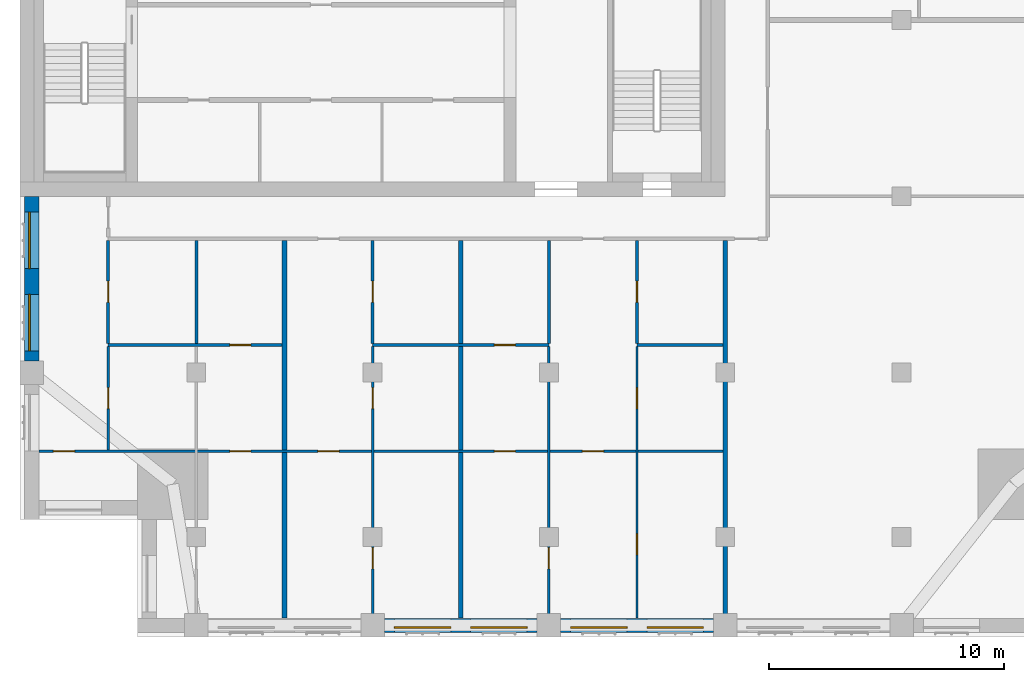
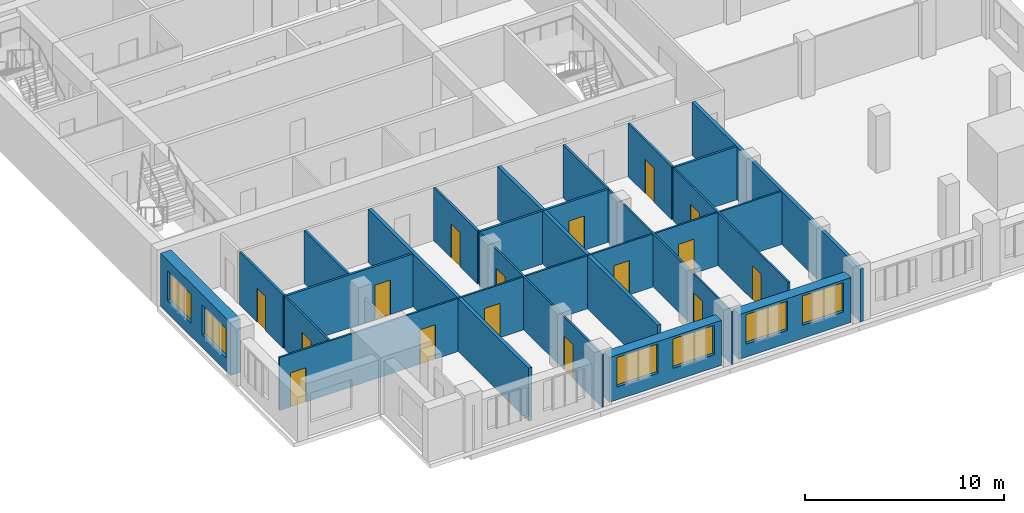
# One storey, part 3 of 10: 19 walls, 16 doors, 6 windows, 22 openings.
"""IFC4 building model written with IfcOpenShell, lengths in metres."""

from ifc_helpers import new_model, si_unit, direction, frame, frame_2d, origin, place, context, subcontext, project, spatial, rectangle, extrude, material, layer, layer_set, type_object, element, fill, save


model = new_model("IFC4")

# Units and contexts
model_context = context("Model", 3, precision=1e-05, world=origin(), true_north=direction((0.0, 1.0)))
body_context = subcontext(model_context, "Body", "Model", "MODEL_VIEW")
ifc_project = project(units=[si_unit("LENGTHUNIT", "METRE"), si_unit("AREAUNIT", "SQUARE_METRE"), si_unit("VOLUMEUNIT", "CUBIC_METRE"), si_unit("PLANEANGLEUNIT", "RADIAN"), si_unit("MASSUNIT", "GRAM", prefix="KILO")], contexts=[model_context])

# Site, building, storey
site_placement = place(None, origin())
site = spatial("IfcSite", under=ifc_project, at=site_placement, CompositionType="ELEMENT")
building_placement = place(site_placement, origin())
building = spatial("IfcBuilding", under=site, at=building_placement, Name="Tamorin Gate", CompositionType="ELEMENT")
storey_placement = place(building_placement, frame((0.0, 0.0, 237.199951171875)))
storey = spatial("IfcBuildingStorey", under=building, at=storey_placement, Name="L59", CompositionType="ELEMENT", Elevation=237.199951171875)

# Wall, openings, windows
ifc_material_1 = material(Name="Precast concrete C40/50", Category="concrete")
ifc_layer_1 = layer(ifc_material_1, 0.60009765625)
ifc_layer_set_1 = layer_set([ifc_layer_1], Name="Precast concrete C40/50")
wall_type_1 = type_object("IfcWallType", Name="Board-marked concrete facade panel 600", PredefinedType="SOLIDWALL", material=ifc_layer_set_1)
wall_1_placement = place(storey_placement, frame((45.5, 41.75, 0.0), z_axis=(0.0, 0.0, 1.0), x_axis=(1.0, 0.0, 0.0)))
wall_1 = element("IfcWall", 1, at=wall_1_placement, inside=storey, type_object=wall_type_1, Name="Facade panel", PredefinedType="SOLIDWALL", context=body_context, shape_type="SweptSolid", body=[
    extrude(rectangle(XDim=6.5, YDim=0.60009765625, at=frame_2d((3.25, 0.0))), origin(), (0.0, 0.0, 1.0), 2.75),
])
opening_1_placement = place(wall_1_placement, frame((0.425048828125, 0.0, 0.800048828125)))
opening_1 = element("IfcOpeningElement", 2, at=opening_1_placement, cuts=wall_1, Name="Opening WN1", PredefinedType="OPENING", context=body_context, shape_type="SweptSolid", body=[
    extrude(rectangle(XDim=2.39990234375, YDim=1.800048828125, at=frame_2d((1.199951171875, 0.89990234375))), frame((0.0, 0.31005859375, 0.0), z_axis=(0.0, -1.0, 0.0), x_axis=(1.0, 0.0, 0.0)), (0.0, 0.0, 1.0), 0.6201171875),
])
opening_2_placement = place(wall_1_placement, frame((3.675048828125, 0.0, 0.800048828125)))
opening_2 = element("IfcOpeningElement", 3, at=opening_2_placement, cuts=wall_1, Name="Opening WN1", PredefinedType="OPENING", context=body_context, shape_type="SweptSolid", body=[
    extrude(rectangle(XDim=2.39990234375, YDim=1.800048828125, at=frame_2d((1.199951171875, 0.89990234375))), frame((0.0, 0.31005859375, 0.0), z_axis=(0.0, -1.0, 0.0), x_axis=(1.0, 0.0, 0.0)), (0.0, 0.0, 1.0), 0.6201171875),
])
ifc_material_2 = material(Name="Clear glass in aluminium frame", Category="aluminium")
window_type = type_object("IfcWindowType", Name="Deep-set window 2400x1800", PartitioningType="SINGLE_PANEL", PredefinedType="WINDOW", material=ifc_material_2)
window_1_placement = place(opening_1_placement, origin())
window_1 = element("IfcWindow", 4, at=window_1_placement, inside=storey, type_object=window_type, Name="Deep-set window", OverallHeight=1.800048828125, OverallWidth=2.39990234375, PartitioningType="SINGLE_PANEL", PredefinedType="WINDOW", context=body_context, shape_type="SweptSolid", body=[
    extrude(rectangle(XDim=2.39990234375, YDim=1.800048828125, at=frame_2d((1.199951171875, 0.89990234375))), frame((0.0, -0.070068359375, 0.0), z_axis=(0.0, -1.0, 0.0), x_axis=(1.0, 0.0, 0.0)), (0.0, 0.0, 1.0), 0.06005859375),
])
fill(opening_1, window_1)
window_2_placement = place(opening_2_placement, origin())
window_2 = element("IfcWindow", 5, at=window_2_placement, inside=storey, type_object=window_type, Name="Deep-set window", OverallHeight=1.800048828125, OverallWidth=2.39990234375, PartitioningType="SINGLE_PANEL", PredefinedType="WINDOW", context=body_context, shape_type="SweptSolid", body=[
    extrude(rectangle(XDim=2.39990234375, YDim=1.800048828125, at=frame_2d((1.199951171875, 0.89990234375))), frame((0.0, -0.070068359375, 0.0), z_axis=(0.0, -1.0, 0.0), x_axis=(1.0, 0.0, 0.0)), (0.0, 0.0, 1.0), 0.06005859375),
])
fill(opening_2, window_2)

wall_2_placement = place(storey_placement, frame((53.0, 41.75, 0.0), z_axis=(0.0, 0.0, 1.0), x_axis=(1.0, 0.0, 0.0)))
wall_2 = element("IfcWall", 6, at=wall_2_placement, inside=storey, type_object=wall_type_1, Name="Facade panel", PredefinedType="SOLIDWALL", context=body_context, shape_type="SweptSolid", body=[
    extrude(rectangle(XDim=6.5, YDim=0.60009765625, at=frame_2d((3.25, 0.0))), origin(), (0.0, 0.0, 1.0), 2.75),
])
opening_3_placement = place(wall_2_placement, frame((0.425048828125, 0.0, 0.800048828125)))
opening_3 = element("IfcOpeningElement", 7, at=opening_3_placement, cuts=wall_2, Name="Opening WN1", PredefinedType="OPENING", context=body_context, shape_type="SweptSolid", body=[
    extrude(rectangle(XDim=2.39990234375, YDim=1.800048828125, at=frame_2d((1.199951171875, 0.89990234375))), frame((0.0, 0.31005859375, 0.0), z_axis=(0.0, -1.0, 0.0), x_axis=(1.0, 0.0, 0.0)), (0.0, 0.0, 1.0), 0.6201171875),
])
opening_4_placement = place(wall_2_placement, frame((3.675048828125, 0.0, 0.800048828125)))
opening_4 = element("IfcOpeningElement", 8, at=opening_4_placement, cuts=wall_2, Name="Opening WN1", PredefinedType="OPENING", context=body_context, shape_type="SweptSolid", body=[
    extrude(rectangle(XDim=2.39990234375, YDim=1.800048828125, at=frame_2d((1.199951171875, 0.89990234375))), frame((0.0, 0.31005859375, 0.0), z_axis=(0.0, -1.0, 0.0), x_axis=(1.0, 0.0, 0.0)), (0.0, 0.0, 1.0), 0.6201171875),
])
window_3_placement = place(opening_3_placement, origin())
window_3 = element("IfcWindow", 9, at=window_3_placement, inside=storey, type_object=window_type, Name="Deep-set window", OverallHeight=1.800048828125, OverallWidth=2.39990234375, PartitioningType="SINGLE_PANEL", PredefinedType="WINDOW", context=body_context, shape_type="SweptSolid", body=[
    extrude(rectangle(XDim=2.39990234375, YDim=1.800048828125, at=frame_2d((1.199951171875, 0.89990234375))), frame((0.0, -0.070068359375, 0.0), z_axis=(0.0, -1.0, 0.0), x_axis=(1.0, 0.0, 0.0)), (0.0, 0.0, 1.0), 0.06005859375),
])
fill(opening_3, window_3)
window_4_placement = place(opening_4_placement, origin())
window_4 = element("IfcWindow", 10, at=window_4_placement, inside=storey, type_object=window_type, Name="Deep-set window", OverallHeight=1.800048828125, OverallWidth=2.39990234375, PartitioningType="SINGLE_PANEL", PredefinedType="WINDOW", context=body_context, shape_type="SweptSolid", body=[
    extrude(rectangle(XDim=2.39990234375, YDim=1.800048828125, at=frame_2d((1.199951171875, 0.89990234375))), frame((0.0, -0.070068359375, 0.0), z_axis=(0.0, -1.0, 0.0), x_axis=(1.0, 0.0, 0.0)), (0.0, 0.0, 1.0), 0.06005859375),
])
fill(opening_4, window_4)

wall_3_placement = place(storey_placement, frame((30.5, 60.0, 0.0), z_axis=(0.0, 0.0, 1.0), x_axis=(0.0, -1.0, 0.0)))
wall_3 = element("IfcWall", 11, at=wall_3_placement, inside=storey, type_object=wall_type_1, Name="Facade panel", PredefinedType="SOLIDWALL", context=body_context, shape_type="SweptSolid", body=[
    extrude(rectangle(XDim=7.0, YDim=0.60009765625, at=frame_2d((3.5, 0.0))), origin(), (0.0, 0.0, 1.0), 3.25),
])
opening_5_placement = place(wall_3_placement, frame((4.175048828125, 0.0, 0.800048828125)))
opening_5 = element("IfcOpeningElement", 12, at=opening_5_placement, cuts=wall_3, Name="Opening WN1", PredefinedType="OPENING", context=body_context, shape_type="SweptSolid", body=[
    extrude(rectangle(XDim=2.39990234375, YDim=1.800048828125, at=frame_2d((1.199951171875, 0.89990234375))), frame((0.0, 0.31005859375, 0.0), z_axis=(0.0, -1.0, 0.0), x_axis=(1.0, 0.0, 0.0)), (0.0, 0.0, 1.0), 0.6201171875),
])
opening_6_placement = place(wall_3_placement, frame((0.675048828125, 0.0, 0.800048828125)))
opening_6 = element("IfcOpeningElement", 13, at=opening_6_placement, cuts=wall_3, Name="Opening WN1", PredefinedType="OPENING", context=body_context, shape_type="SweptSolid", body=[
    extrude(rectangle(XDim=2.39990234375, YDim=1.800048828125, at=frame_2d((1.199951171875, 0.89990234375))), frame((0.0, 0.31005859375, 0.0), z_axis=(0.0, -1.0, 0.0), x_axis=(1.0, 0.0, 0.0)), (0.0, 0.0, 1.0), 0.6201171875),
])
window_5_placement = place(opening_5_placement, origin())
window_5 = element("IfcWindow", 14, at=window_5_placement, inside=storey, type_object=window_type, Name="Deep-set window", OverallHeight=1.800048828125, OverallWidth=2.39990234375, PartitioningType="SINGLE_PANEL", PredefinedType="WINDOW", context=body_context, shape_type="SweptSolid", body=[
    extrude(rectangle(XDim=2.39990234375, YDim=1.800048828125, at=frame_2d((1.199951171875, 0.89990234375))), frame((0.0, -0.070068359375, 0.0), z_axis=(0.0, -1.0, 0.0), x_axis=(1.0, 0.0, 0.0)), (0.0, 0.0, 1.0), 0.06005859375),
])
fill(opening_5, window_5)
window_6_placement = place(opening_6_placement, origin())
window_6 = element("IfcWindow", 15, at=window_6_placement, inside=storey, type_object=window_type, Name="Deep-set window", OverallHeight=1.800048828125, OverallWidth=2.39990234375, PartitioningType="SINGLE_PANEL", PredefinedType="WINDOW", context=body_context, shape_type="SweptSolid", body=[
    extrude(rectangle(XDim=2.39990234375, YDim=1.800048828125, at=frame_2d((1.199951171875, 0.89990234375))), frame((0.0, -0.070068359375, 0.0), z_axis=(0.0, -1.0, 0.0), x_axis=(1.0, 0.0, 0.0)), (0.0, 0.0, 1.0), 0.06005859375),
])
fill(opening_6, window_6)

# Walls
ifc_material_3 = material(Name="Gypsum board partition")
ifc_layer_2 = layer(ifc_material_3, 0.199951171875)
ifc_layer_set_2 = layer_set([ifc_layer_2], Name="Demising wall 200")
wall_type_2 = type_object("IfcWallType", Name="Demising wall 200", PredefinedType="PARTITIONING", material=ifc_layer_set_2)
for number, where, z_axis, x_axis, name in (
    (16, (41.25, 42.06005859375, 0.0), (0.0, 0.0, 1.0), (0.0, 1.0, 0.0), "Demising wall 200"),
    (17, (48.75, 42.06005859375, 0.0), (0.0, 0.0, 1.0), (0.0, 1.0, 0.0), "Demising wall 200"),
):
    element("IfcWall", number, at=place(storey_placement, frame(where, z_axis=z_axis, x_axis=x_axis)), inside=storey, type_object=wall_type_2, Name=name, PredefinedType="PARTITIONING", context=body_context, shape_type="SweptSolid", body=[
        extrude(rectangle(XDim=16.06494140625, YDim=0.199951171875, at=frame_2d((8.032470703125, 0.0))), origin(), (0.0, 0.0, 1.0), 3.25),
    ])
wall_4_placement = place(storey_placement, frame((60.0, 41.25, 0.0), z_axis=(0.0, 0.0, 1.0), x_axis=(0.0, 1.0, 0.0)))
element("IfcWall", 18, at=wall_4_placement, inside=storey, type_object=wall_type_2, Name="Demising wall 200", PredefinedType="PARTITIONING", context=body_context, shape_type="SweptSolid", body=[
    extrude(rectangle(XDim=16.875, YDim=0.199951171875, at=frame_2d((8.4375, 0.0))), origin(), (0.0, 0.0, 1.0), 3.25),
])

# Wall, openings, doors
ifc_layer_3 = layer(ifc_material_3, 0.10009765625)
ifc_layer_set_3 = layer_set([ifc_layer_3], Name="Room partition 100")
wall_type_3 = type_object("IfcWallType", Name="Room partition 100", PredefinedType="PARTITIONING", material=ifc_layer_set_3)
wall_5_placement = place(storey_placement, frame((30.81005859375, 49.14990234375, 0.0), z_axis=(0.0, 0.0, 1.0), x_axis=(1.0, 0.0, 0.0)))
wall_5 = element("IfcWall", 19, at=wall_5_placement, inside=storey, type_object=wall_type_3, Name="Room partition 100", PredefinedType="PARTITIONING", context=body_context, shape_type="SweptSolid", body=[
    extrude(rectangle(XDim=29.08984375, YDim=0.10009765625, at=frame_2d((14.544921875, 0.0))), origin(), (0.0, 0.0, 1.0), 3.25),
])
opening_7_placement = place(wall_5_placement, frame((0.614990234375, 0.0, 0.0)))
opening_7 = element("IfcOpeningElement", 20, at=opening_7_placement, cuts=wall_5, Name="Opening DR5002", PredefinedType="OPENING", context=body_context, shape_type="SweptSolid", body=[
    extrude(rectangle(XDim=0.89990234375, YDim=2.10009765625, at=frame_2d((0.449951171875, 1.050048828125))), frame((0.0, 0.06005859375, 0.0), z_axis=(0.0, -1.0, 0.0), x_axis=(1.0, 0.0, 0.0)), (0.0, 0.0, 1.0), 0.1201171875),
])
opening_8_placement = place(wall_5_placement, frame((8.114990234375, 0.0, 0.0)))
opening_8 = element("IfcOpeningElement", 21, at=opening_8_placement, cuts=wall_5, Name="Opening DR5005", PredefinedType="OPENING", context=body_context, shape_type="SweptSolid", body=[
    extrude(rectangle(XDim=0.89990234375, YDim=2.10009765625, at=frame_2d((0.449951171875, 1.050048828125))), frame((0.0, 0.06005859375, 0.0), z_axis=(0.0, -1.0, 0.0), x_axis=(1.0, 0.0, 0.0)), (0.0, 0.0, 1.0), 0.1201171875),
])
opening_9_placement = place(wall_5_placement, frame((11.864990234375, 0.0, 0.0)))
opening_9 = element("IfcOpeningElement", 22, at=opening_9_placement, cuts=wall_5, Name="Opening DR5009", PredefinedType="OPENING", context=body_context, shape_type="SweptSolid", body=[
    extrude(rectangle(XDim=0.89990234375, YDim=2.10009765625, at=frame_2d((0.449951171875, 1.050048828125))), frame((0.0, 0.06005859375, 0.0), z_axis=(0.0, -1.0, 0.0), x_axis=(1.0, 0.0, 0.0)), (0.0, 0.0, 1.0), 0.1201171875),
])
opening_10_placement = place(wall_5_placement, frame((19.364990234375, 0.0, 0.0)))
opening_10 = element("IfcOpeningElement", 23, at=opening_10_placement, cuts=wall_5, Name="Opening DR5013", PredefinedType="OPENING", context=body_context, shape_type="SweptSolid", body=[
    extrude(rectangle(XDim=0.89990234375, YDim=2.10009765625, at=frame_2d((0.449951171875, 1.050048828125))), frame((0.0, 0.06005859375, 0.0), z_axis=(0.0, -1.0, 0.0), x_axis=(1.0, 0.0, 0.0)), (0.0, 0.0, 1.0), 0.1201171875),
])
opening_11_placement = place(wall_5_placement, frame((23.114990234375, 0.0, 0.0)))
opening_11 = element("IfcOpeningElement", 24, at=opening_11_placement, cuts=wall_5, Name="Opening DR5016", PredefinedType="OPENING", context=body_context, shape_type="SweptSolid", body=[
    extrude(rectangle(XDim=0.89990234375, YDim=2.10009765625, at=frame_2d((0.449951171875, 1.050048828125))), frame((0.0, 0.06005859375, 0.0), z_axis=(0.0, -1.0, 0.0), x_axis=(1.0, 0.0, 0.0)), (0.0, 0.0, 1.0), 0.1201171875),
])
ifc_material_4 = material(Name="Timber door leaf", Category="wood")
door_type = type_object("IfcDoorType", Name="Door 900 x 2100", OperationType="NOTDEFINED", PredefinedType="DOOR", material=ifc_material_4)
door_1_placement = place(opening_7_placement, origin())
door_1 = element("IfcDoor", 25, at=door_1_placement, inside=storey, type_object=door_type, Name="Door DR5002", OperationType="SINGLE_SWING_LEFT", OverallHeight=2.10009765625, OverallWidth=0.89990234375, PredefinedType="DOOR", context=body_context, shape_type="SweptSolid", body=[
    extrude(rectangle(XDim=0.89990234375, YDim=2.10009765625, at=frame_2d((0.449951171875, 1.050048828125))), frame((0.0, 0.02490234375, 0.0), z_axis=(0.0, -1.0, 0.0), x_axis=(1.0, 0.0, 0.0)), (0.0, 0.0, 1.0), 0.050048828125),
])
fill(opening_7, door_1)
door_2_placement = place(opening_8_placement, origin())
door_2 = element("IfcDoor", 26, at=door_2_placement, inside=storey, type_object=door_type, Name="Door DR5005", OperationType="SINGLE_SWING_LEFT", OverallHeight=2.10009765625, OverallWidth=0.89990234375, PredefinedType="DOOR", context=body_context, shape_type="SweptSolid", body=[
    extrude(rectangle(XDim=0.89990234375, YDim=2.10009765625, at=frame_2d((0.449951171875, 1.050048828125))), frame((0.0, 0.02490234375, 0.0), z_axis=(0.0, -1.0, 0.0), x_axis=(1.0, 0.0, 0.0)), (0.0, 0.0, 1.0), 0.050048828125),
])
fill(opening_8, door_2)
door_3_placement = place(opening_9_placement, origin())
door_3 = element("IfcDoor", 27, at=door_3_placement, inside=storey, type_object=door_type, Name="Door DR5009", OperationType="SINGLE_SWING_LEFT", OverallHeight=2.10009765625, OverallWidth=0.89990234375, PredefinedType="DOOR", context=body_context, shape_type="SweptSolid", body=[
    extrude(rectangle(XDim=0.89990234375, YDim=2.10009765625, at=frame_2d((0.449951171875, 1.050048828125))), frame((0.0, 0.02490234375, 0.0), z_axis=(0.0, -1.0, 0.0), x_axis=(1.0, 0.0, 0.0)), (0.0, 0.0, 1.0), 0.050048828125),
])
fill(opening_9, door_3)
door_4_placement = place(opening_10_placement, origin())
door_4 = element("IfcDoor", 28, at=door_4_placement, inside=storey, type_object=door_type, Name="Door DR5013", OperationType="SINGLE_SWING_LEFT", OverallHeight=2.10009765625, OverallWidth=0.89990234375, PredefinedType="DOOR", context=body_context, shape_type="SweptSolid", body=[
    extrude(rectangle(XDim=0.89990234375, YDim=2.10009765625, at=frame_2d((0.449951171875, 1.050048828125))), frame((0.0, 0.02490234375, 0.0), z_axis=(0.0, -1.0, 0.0), x_axis=(1.0, 0.0, 0.0)), (0.0, 0.0, 1.0), 0.050048828125),
])
fill(opening_10, door_4)
door_5_placement = place(opening_11_placement, origin())
door_5 = element("IfcDoor", 29, at=door_5_placement, inside=storey, type_object=door_type, Name="Door DR5016", OperationType="SINGLE_SWING_LEFT", OverallHeight=2.10009765625, OverallWidth=0.89990234375, PredefinedType="DOOR", context=body_context, shape_type="SweptSolid", body=[
    extrude(rectangle(XDim=0.89990234375, YDim=2.10009765625, at=frame_2d((0.449951171875, 1.050048828125))), frame((0.0, 0.02490234375, 0.0), z_axis=(0.0, -1.0, 0.0), x_axis=(1.0, 0.0, 0.0)), (0.0, 0.0, 1.0), 0.050048828125),
])
fill(opening_11, door_5)

# Wall, opening, door
wall_6_placement = place(storey_placement, frame((33.75, 49.199951171875, 0.0), z_axis=(0.0, 0.0, 1.0), x_axis=(0.0, 1.0, 0.0)))
wall_6 = element("IfcWall", 30, at=wall_6_placement, inside=storey, type_object=wall_type_3, Name="Room partition 100", PredefinedType="PARTITIONING", context=body_context, shape_type="SweptSolid", body=[
    extrude(rectangle(XDim=4.41259765625, YDim=0.10009765625, at=frame_2d((2.206298828125, 0.0))), origin(), (0.0, 0.0, 1.0), 3.25),
])
opening_12_placement = place(wall_6_placement, frame((1.762451171875, 0.0, 0.0)))
opening_12 = element("IfcOpeningElement", 31, at=opening_12_placement, cuts=wall_6, Name="Opening DR5003", PredefinedType="OPENING", context=body_context, shape_type="SweptSolid", body=[
    extrude(rectangle(XDim=0.89990234375, YDim=2.10009765625, at=frame_2d((0.449951171875, 1.050048828125))), frame((0.0, 0.06005859375, 0.0), z_axis=(0.0, -1.0, 0.0), x_axis=(1.0, 0.0, 0.0)), (0.0, 0.0, 1.0), 0.1201171875),
])
door_6_placement = place(opening_12_placement, origin())
door_6 = element("IfcDoor", 32, at=door_6_placement, inside=storey, type_object=door_type, Name="Door DR5003", OperationType="SINGLE_SWING_LEFT", OverallHeight=2.10009765625, OverallWidth=0.89990234375, PredefinedType="DOOR", context=body_context, shape_type="SweptSolid", body=[
    extrude(rectangle(XDim=0.89990234375, YDim=2.10009765625, at=frame_2d((0.449951171875, 1.050048828125))), frame((0.0, 0.02490234375, 0.0), z_axis=(0.0, -1.0, 0.0), x_axis=(1.0, 0.0, 0.0)), (0.0, 0.0, 1.0), 0.050048828125),
])
fill(opening_12, door_6)

# Wall, openings, doors
wall_7_placement = place(storey_placement, frame((45.0, 41.25, 0.0), z_axis=(0.0, 0.0, 1.0), x_axis=(0.0, 1.0, 0.0)))
wall_7 = element("IfcWall", 33, at=wall_7_placement, inside=storey, type_object=wall_type_3, Name="Room partition 100", PredefinedType="PARTITIONING", context=body_context, shape_type="SweptSolid", body=[
    extrude(rectangle(XDim=12.362548828125, YDim=0.10009765625, at=frame_2d((6.18115234375, 0.0))), origin(), (0.0, 0.0, 1.0), 3.25),
])
opening_13_placement = place(wall_7_placement, frame((9.71240234375, 0.0, 0.0)))
opening_13 = element("IfcOpeningElement", 34, at=opening_13_placement, cuts=wall_7, Name="Opening DR5010", PredefinedType="OPENING", context=body_context, shape_type="SweptSolid", body=[
    extrude(rectangle(XDim=0.89990234375, YDim=2.10009765625, at=frame_2d((0.449951171875, 1.050048828125))), frame((0.0, 0.06005859375, 0.0), z_axis=(0.0, -1.0, 0.0), x_axis=(1.0, 0.0, 0.0)), (0.0, 0.0, 1.0), 0.1201171875),
])
opening_14_placement = place(wall_7_placement, frame((2.89990234375, 0.0, 0.0)))
opening_14 = element("IfcOpeningElement", 35, at=opening_14_placement, cuts=wall_7, Name="Opening DR5012", PredefinedType="OPENING", context=body_context, shape_type="SweptSolid", body=[
    extrude(rectangle(XDim=0.89990234375, YDim=2.10009765625, at=frame_2d((0.449951171875, 1.050048828125))), frame((0.0, 0.06005859375, 0.0), z_axis=(0.0, -1.0, 0.0), x_axis=(1.0, 0.0, 0.0)), (0.0, 0.0, 1.0), 0.1201171875),
])
door_7_placement = place(opening_13_placement, origin())
door_7 = element("IfcDoor", 36, at=door_7_placement, inside=storey, type_object=door_type, Name="Door DR5010", OperationType="SINGLE_SWING_LEFT", OverallHeight=2.10009765625, OverallWidth=0.89990234375, PredefinedType="DOOR", context=body_context, shape_type="SweptSolid", body=[
    extrude(rectangle(XDim=0.89990234375, YDim=2.10009765625, at=frame_2d((0.449951171875, 1.050048828125))), frame((0.0, 0.02490234375, 0.0), z_axis=(0.0, -1.0, 0.0), x_axis=(1.0, 0.0, 0.0)), (0.0, 0.0, 1.0), 0.050048828125),
])
fill(opening_13, door_7)
door_8_placement = place(opening_14_placement, origin())
door_8 = element("IfcDoor", 37, at=door_8_placement, inside=storey, type_object=door_type, Name="Door DR5012", OperationType="SINGLE_SWING_LEFT", OverallHeight=2.10009765625, OverallWidth=0.89990234375, PredefinedType="DOOR", context=body_context, shape_type="SweptSolid", body=[
    extrude(rectangle(XDim=0.89990234375, YDim=2.10009765625, at=frame_2d((0.449951171875, 1.050048828125))), frame((0.0, 0.02490234375, 0.0), z_axis=(0.0, -1.0, 0.0), x_axis=(1.0, 0.0, 0.0)), (0.0, 0.0, 1.0), 0.050048828125),
])
fill(opening_14, door_8)

# Wall, opening, door
wall_8_placement = place(storey_placement, frame((52.5, 41.25, 0.0), z_axis=(0.0, 0.0, 1.0), x_axis=(0.0, 1.0, 0.0)))
wall_8 = element("IfcWall", 38, at=wall_8_placement, inside=storey, type_object=wall_type_3, Name="Room partition 100", PredefinedType="PARTITIONING", context=body_context, shape_type="SweptSolid", body=[
    extrude(rectangle(XDim=12.362548828125, YDim=0.10009765625, at=frame_2d((6.18115234375, 0.0))), origin(), (0.0, 0.0, 1.0), 3.25),
])
opening_15_placement = place(wall_8_placement, frame((2.89990234375, 0.0, 0.0)))
opening_15 = element("IfcOpeningElement", 39, at=opening_15_placement, cuts=wall_8, Name="Opening DR5019", PredefinedType="OPENING", context=body_context, shape_type="SweptSolid", body=[
    extrude(rectangle(XDim=0.89990234375, YDim=2.10009765625, at=frame_2d((0.449951171875, 1.050048828125))), frame((0.0, 0.06005859375, 0.0), z_axis=(0.0, -1.0, 0.0), x_axis=(1.0, 0.0, 0.0)), (0.0, 0.0, 1.0), 0.1201171875),
])
door_9_placement = place(opening_15_placement, origin())
door_9 = element("IfcDoor", 40, at=door_9_placement, inside=storey, type_object=door_type, Name="Door DR5019", OperationType="SINGLE_SWING_LEFT", OverallHeight=2.10009765625, OverallWidth=0.89990234375, PredefinedType="DOOR", context=body_context, shape_type="SweptSolid", body=[
    extrude(rectangle(XDim=0.89990234375, YDim=2.10009765625, at=frame_2d((0.449951171875, 1.050048828125))), frame((0.0, 0.02490234375, 0.0), z_axis=(0.0, -1.0, 0.0), x_axis=(1.0, 0.0, 0.0)), (0.0, 0.0, 1.0), 0.050048828125),
])
fill(opening_15, door_9)

# Wall, openings, doors
wall_9_placement = place(storey_placement, frame((56.25, 42.06005859375, 0.0), z_axis=(0.0, 0.0, 1.0), x_axis=(0.0, 1.0, 0.0)))
wall_9 = element("IfcWall", 41, at=wall_9_placement, inside=storey, type_object=wall_type_3, Name="Room partition 100", PredefinedType="PARTITIONING", context=body_context, shape_type="SweptSolid", body=[
    extrude(rectangle(XDim=11.552490234375, YDim=0.10009765625, at=frame_2d((5.7763671875, 0.0))), origin(), (0.0, 0.0, 1.0), 3.25),
])
opening_16_placement = place(wall_9_placement, frame((8.902587890625, 0.0, 0.0)))
opening_16 = element("IfcOpeningElement", 42, at=opening_16_placement, cuts=wall_9, Name="Opening DR5017", PredefinedType="OPENING", context=body_context, shape_type="SweptSolid", body=[
    extrude(rectangle(XDim=0.89990234375, YDim=2.10009765625, at=frame_2d((0.449951171875, 1.050048828125))), frame((0.0, 0.06005859375, 0.0), z_axis=(0.0, -1.0, 0.0), x_axis=(1.0, 0.0, 0.0)), (0.0, 0.0, 1.0), 0.1201171875),
])
opening_17_placement = place(wall_9_placement, frame((2.68994140625, 0.0, 0.0)))
opening_17 = element("IfcOpeningElement", 43, at=opening_17_placement, cuts=wall_9, Name="Opening DR5020", PredefinedType="OPENING", context=body_context, shape_type="SweptSolid", body=[
    extrude(rectangle(XDim=0.89990234375, YDim=2.10009765625, at=frame_2d((0.449951171875, 1.050048828125))), frame((0.0, 0.06005859375, 0.0), z_axis=(0.0, -1.0, 0.0), x_axis=(1.0, 0.0, 0.0)), (0.0, 0.0, 1.0), 0.1201171875),
])
door_10_placement = place(opening_16_placement, origin())
door_10 = element("IfcDoor", 44, at=door_10_placement, inside=storey, type_object=door_type, Name="Door DR5017", OperationType="SINGLE_SWING_LEFT", OverallHeight=2.10009765625, OverallWidth=0.89990234375, PredefinedType="DOOR", context=body_context, shape_type="SweptSolid", body=[
    extrude(rectangle(XDim=0.89990234375, YDim=2.10009765625, at=frame_2d((0.449951171875, 1.050048828125))), frame((0.0, 0.02490234375, 0.0), z_axis=(0.0, -1.0, 0.0), x_axis=(1.0, 0.0, 0.0)), (0.0, 0.0, 1.0), 0.050048828125),
])
fill(opening_16, door_10)
door_11_placement = place(opening_17_placement, origin())
door_11 = element("IfcDoor", 45, at=door_11_placement, inside=storey, type_object=door_type, Name="Door DR5020", OperationType="SINGLE_SWING_LEFT", OverallHeight=2.10009765625, OverallWidth=0.89990234375, PredefinedType="DOOR", context=body_context, shape_type="SweptSolid", body=[
    extrude(rectangle(XDim=0.89990234375, YDim=2.10009765625, at=frame_2d((0.449951171875, 1.050048828125))), frame((0.0, 0.02490234375, 0.0), z_axis=(0.0, -1.0, 0.0), x_axis=(1.0, 0.0, 0.0)), (0.0, 0.0, 1.0), 0.050048828125),
])
fill(opening_17, door_11)

# Wall, opening, door
ifc_layer_4 = layer(ifc_material_3, 0.125)
ifc_layer_set_4 = layer_set([ifc_layer_4], Name="Wet wall 125")
wall_type_4 = type_object("IfcWallType", Name="Wet wall 125", PredefinedType="PARTITIONING", material=ifc_layer_set_4)
wall_10_placement = place(storey_placement, frame((33.75, 53.675048828125, 0.0), z_axis=(0.0, 0.0, 1.0), x_axis=(1.0, 0.0, 0.0)))
wall_10 = element("IfcWall", 46, at=wall_10_placement, inside=storey, type_object=wall_type_4, Name="Wet wall 125", PredefinedType="PARTITIONING", context=body_context, shape_type="SweptSolid", body=[
    extrude(rectangle(XDim=7.39990234375, YDim=0.125, at=frame_2d((3.699951171875, 0.0))), origin(), (0.0, 0.0, 1.0), 3.25),
])
opening_18_placement = place(wall_10_placement, frame((5.175048828125, 0.0, 0.0)))
opening_18 = element("IfcOpeningElement", 47, at=opening_18_placement, cuts=wall_10, Name="Opening DR5006", PredefinedType="OPENING", context=body_context, shape_type="SweptSolid", body=[
    extrude(rectangle(XDim=0.89990234375, YDim=2.10009765625, at=frame_2d((0.449951171875, 1.050048828125))), frame((0.0, 0.072509765625, 0.0), z_axis=(0.0, -1.0, 0.0), x_axis=(1.0, 0.0, 0.0)), (0.0, 0.0, 1.0), 0.14501953125),
])
door_12_placement = place(opening_18_placement, origin())
door_12 = element("IfcDoor", 48, at=door_12_placement, inside=storey, type_object=door_type, Name="Door DR5006", OperationType="SINGLE_SWING_LEFT", OverallHeight=2.10009765625, OverallWidth=0.89990234375, PredefinedType="DOOR", context=body_context, shape_type="SweptSolid", body=[
    extrude(rectangle(XDim=0.89990234375, YDim=2.10009765625, at=frame_2d((0.449951171875, 1.050048828125))), frame((0.0, 0.02490234375, 0.0), z_axis=(0.0, -1.0, 0.0), x_axis=(1.0, 0.0, 0.0)), (0.0, 0.0, 1.0), 0.050048828125),
])
fill(opening_18, door_12)

wall_11_placement = place(storey_placement, frame((45.0, 53.675048828125, 0.0), z_axis=(0.0, 0.0, 1.0), x_axis=(1.0, 0.0, 0.0)))
wall_11 = element("IfcWall", 49, at=wall_11_placement, inside=storey, type_object=wall_type_4, Name="Wet wall 125", PredefinedType="PARTITIONING", context=body_context, shape_type="SweptSolid", body=[
    extrude(rectangle(XDim=7.5, YDim=0.125, at=frame_2d((3.75, 0.0))), origin(), (0.0, 0.0, 1.0), 3.25),
])
opening_19_placement = place(wall_11_placement, frame((5.175048828125, 0.0, 0.0)))
opening_19 = element("IfcOpeningElement", 50, at=opening_19_placement, cuts=wall_11, Name="Opening DR5014", PredefinedType="OPENING", context=body_context, shape_type="SweptSolid", body=[
    extrude(rectangle(XDim=0.89990234375, YDim=2.10009765625, at=frame_2d((0.449951171875, 1.050048828125))), frame((0.0, 0.072509765625, 0.0), z_axis=(0.0, -1.0, 0.0), x_axis=(1.0, 0.0, 0.0)), (0.0, 0.0, 1.0), 0.14501953125),
])
door_13_placement = place(opening_19_placement, origin())
door_13 = element("IfcDoor", 51, at=door_13_placement, inside=storey, type_object=door_type, Name="Door DR5014", OperationType="SINGLE_SWING_LEFT", OverallHeight=2.10009765625, OverallWidth=0.89990234375, PredefinedType="DOOR", context=body_context, shape_type="SweptSolid", body=[
    extrude(rectangle(XDim=0.89990234375, YDim=2.10009765625, at=frame_2d((0.449951171875, 1.050048828125))), frame((0.0, 0.02490234375, 0.0), z_axis=(0.0, -1.0, 0.0), x_axis=(1.0, 0.0, 0.0)), (0.0, 0.0, 1.0), 0.050048828125),
])
fill(opening_19, door_13)

# Wall
wall_12_placement = place(storey_placement, frame((56.25, 53.675048828125, 0.0), z_axis=(0.0, 0.0, 1.0), x_axis=(1.0, 0.0, 0.0)))
element("IfcWall", 52, at=wall_12_placement, inside=storey, type_object=wall_type_4, Name="Wet wall 125", PredefinedType="PARTITIONING", context=body_context, shape_type="SweptSolid", body=[
    extrude(rectangle(XDim=3.64990234375, YDim=0.125, at=frame_2d((1.824951171875, 0.0))), origin(), (0.0, 0.0, 1.0), 3.25),
])

# Wall, opening, door
wall_13_placement = place(storey_placement, frame((33.75, 53.737548828125, 0.0), z_axis=(0.0, 0.0, 1.0), x_axis=(0.0, 1.0, 0.0)))
wall_13 = element("IfcWall", 53, at=wall_13_placement, inside=storey, type_object=wall_type_4, Name="Wet wall 125", PredefinedType="PARTITIONING", context=body_context, shape_type="SweptSolid", body=[
    extrude(rectangle(XDim=4.387451171875, YDim=0.125, at=frame_2d((2.19384765625, 0.0))), origin(), (0.0, 0.0, 1.0), 3.25),
])
opening_20_placement = place(wall_13_placement, frame((1.75, 0.0, 0.0)))
opening_20 = element("IfcOpeningElement", 54, at=opening_20_placement, cuts=wall_13, Name="Opening DR5004", PredefinedType="OPENING", context=body_context, shape_type="SweptSolid", body=[
    extrude(rectangle(XDim=0.89990234375, YDim=2.10009765625, at=frame_2d((0.449951171875, 1.050048828125))), frame((0.0, 0.072509765625, 0.0), z_axis=(0.0, -1.0, 0.0), x_axis=(1.0, 0.0, 0.0)), (0.0, 0.0, 1.0), 0.14501953125),
])
door_14_placement = place(opening_20_placement, origin())
door_14 = element("IfcDoor", 55, at=door_14_placement, inside=storey, type_object=door_type, Name="Door DR5004", OperationType="SINGLE_SWING_RIGHT", OverallHeight=2.10009765625, OverallWidth=0.89990234375, PredefinedType="DOOR", context=body_context, shape_type="SweptSolid", body=[
    extrude(rectangle(XDim=0.89990234375, YDim=2.10009765625, at=frame_2d((0.449951171875, 1.050048828125))), frame((0.0, 0.02490234375, 0.0), z_axis=(0.0, -1.0, 0.0), x_axis=(1.0, 0.0, 0.0)), (0.0, 0.0, 1.0), 0.050048828125),
])
fill(opening_20, door_14)

# Wall
wall_14_placement = place(storey_placement, frame((37.5, 53.737548828125, 0.0), z_axis=(0.0, 0.0, 1.0), x_axis=(0.0, 1.0, 0.0)))
element("IfcWall", 56, at=wall_14_placement, inside=storey, type_object=wall_type_4, Name="Wet wall 125", PredefinedType="PARTITIONING", context=body_context, shape_type="SweptSolid", body=[
    extrude(rectangle(XDim=4.387451171875, YDim=0.125, at=frame_2d((2.19384765625, 0.0))), origin(), (0.0, 0.0, 1.0), 3.25),
])

# Wall, opening, door
wall_15_placement = place(storey_placement, frame((45.0, 53.737548828125, 0.0), z_axis=(0.0, 0.0, 1.0), x_axis=(0.0, 1.0, 0.0)))
wall_15 = element("IfcWall", 57, at=wall_15_placement, inside=storey, type_object=wall_type_4, Name="Wet wall 125", PredefinedType="PARTITIONING", context=body_context, shape_type="SweptSolid", body=[
    extrude(rectangle(XDim=4.387451171875, YDim=0.125, at=frame_2d((2.19384765625, 0.0))), origin(), (0.0, 0.0, 1.0), 3.25),
])
opening_21_placement = place(wall_15_placement, frame((1.75, 0.0, 0.0)))
opening_21 = element("IfcOpeningElement", 58, at=opening_21_placement, cuts=wall_15, Name="Opening DR5011", PredefinedType="OPENING", context=body_context, shape_type="SweptSolid", body=[
    extrude(rectangle(XDim=0.89990234375, YDim=2.10009765625, at=frame_2d((0.449951171875, 1.050048828125))), frame((0.0, 0.072509765625, 0.0), z_axis=(0.0, -1.0, 0.0), x_axis=(1.0, 0.0, 0.0)), (0.0, 0.0, 1.0), 0.14501953125),
])
door_15_placement = place(opening_21_placement, origin())
door_15 = element("IfcDoor", 59, at=door_15_placement, inside=storey, type_object=door_type, Name="Door DR5011", OperationType="SINGLE_SWING_RIGHT", OverallHeight=2.10009765625, OverallWidth=0.89990234375, PredefinedType="DOOR", context=body_context, shape_type="SweptSolid", body=[
    extrude(rectangle(XDim=0.89990234375, YDim=2.10009765625, at=frame_2d((0.449951171875, 1.050048828125))), frame((0.0, 0.02490234375, 0.0), z_axis=(0.0, -1.0, 0.0), x_axis=(1.0, 0.0, 0.0)), (0.0, 0.0, 1.0), 0.050048828125),
])
fill(opening_21, door_15)

# Wall
wall_16_placement = place(storey_placement, frame((52.5, 53.737548828125, 0.0), z_axis=(0.0, 0.0, 1.0), x_axis=(0.0, 1.0, 0.0)))
element("IfcWall", 60, at=wall_16_placement, inside=storey, type_object=wall_type_4, Name="Wet wall 125", PredefinedType="PARTITIONING", context=body_context, shape_type="SweptSolid", body=[
    extrude(rectangle(XDim=4.387451171875, YDim=0.125, at=frame_2d((2.19384765625, 0.0))), origin(), (0.0, 0.0, 1.0), 3.25),
])

# Wall, opening, door
wall_17_placement = place(storey_placement, frame((56.25, 53.737548828125, 0.0), z_axis=(0.0, 0.0, 1.0), x_axis=(0.0, 1.0, 0.0)))
wall_17 = element("IfcWall", 61, at=wall_17_placement, inside=storey, type_object=wall_type_4, Name="Wet wall 125", PredefinedType="PARTITIONING", context=body_context, shape_type="SweptSolid", body=[
    extrude(rectangle(XDim=4.387451171875, YDim=0.125, at=frame_2d((2.19384765625, 0.0))), origin(), (0.0, 0.0, 1.0), 3.25),
])
opening_22_placement = place(wall_17_placement, frame((1.75, 0.0, 0.0)))
opening_22 = element("IfcOpeningElement", 62, at=opening_22_placement, cuts=wall_17, Name="Opening DR5018", PredefinedType="OPENING", context=body_context, shape_type="SweptSolid", body=[
    extrude(rectangle(XDim=0.89990234375, YDim=2.10009765625, at=frame_2d((0.449951171875, 1.050048828125))), frame((0.0, 0.072509765625, 0.0), z_axis=(0.0, -1.0, 0.0), x_axis=(1.0, 0.0, 0.0)), (0.0, 0.0, 1.0), 0.14501953125),
])
door_16_placement = place(opening_22_placement, origin())
door_16 = element("IfcDoor", 63, at=door_16_placement, inside=storey, type_object=door_type, Name="Door DR5018", OperationType="SINGLE_SWING_RIGHT", OverallHeight=2.10009765625, OverallWidth=0.89990234375, PredefinedType="DOOR", context=body_context, shape_type="SweptSolid", body=[
    extrude(rectangle(XDim=0.89990234375, YDim=2.10009765625, at=frame_2d((0.449951171875, 1.050048828125))), frame((0.0, 0.02490234375, 0.0), z_axis=(0.0, -1.0, 0.0), x_axis=(1.0, 0.0, 0.0)), (0.0, 0.0, 1.0), 0.050048828125),
])
fill(opening_22, door_16)

save(model, "model.ifc")
